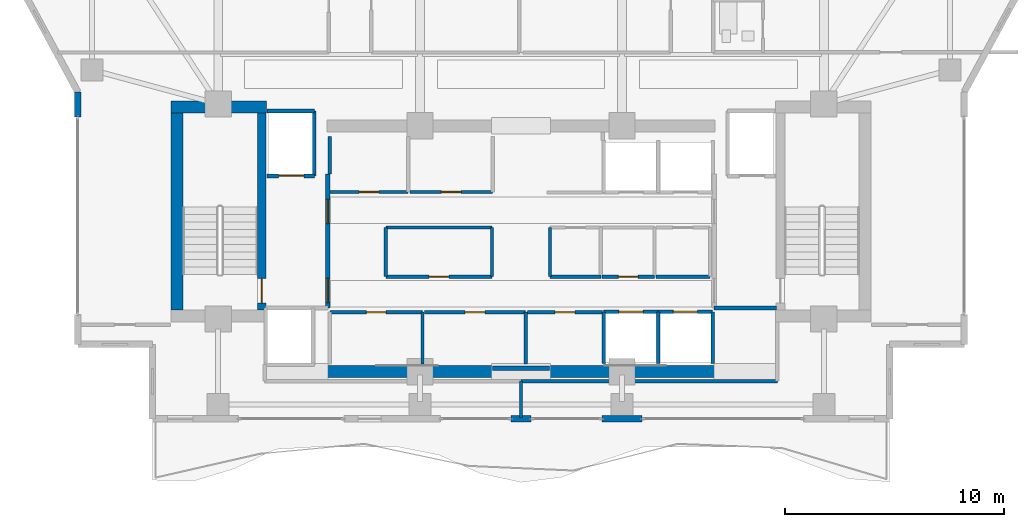
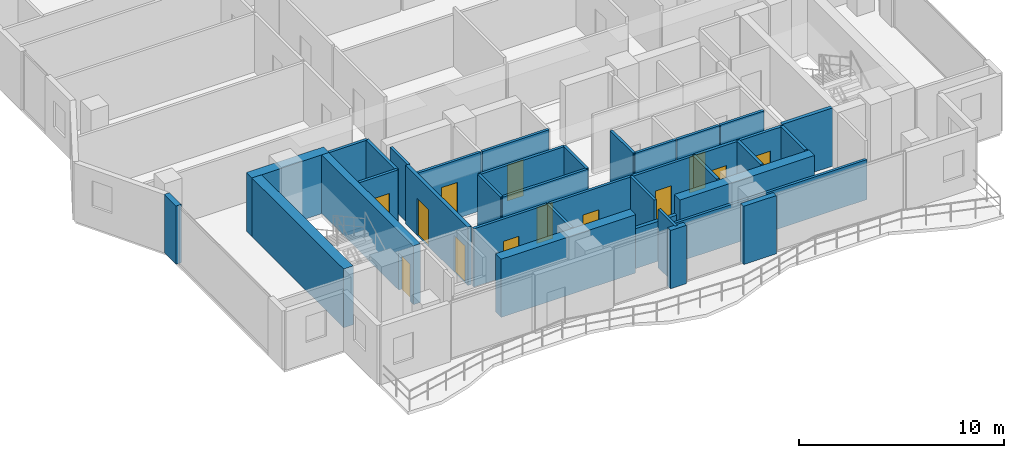
# One storey, part 17 of 24: 37 walls, 13 doors, 13 openings.
"""IFC4 building model written with IfcOpenShell, lengths in metres."""

from ifc_helpers import new_model, si_unit, direction, frame, frame_2d, origin, place, context, subcontext, project, spatial, rectangle, extrude, material, layer, layer_set, type_object, element, fill, save


model = new_model("IFC4")

# Units and contexts
model_context = context("Model", 3, precision=1e-05, world=origin(), true_north=direction((0.0, 1.0)))
body_context = subcontext(model_context, "Body", "Model", "MODEL_VIEW")
ifc_project = project(units=[si_unit("LENGTHUNIT", "METRE"), si_unit("AREAUNIT", "SQUARE_METRE"), si_unit("VOLUMEUNIT", "CUBIC_METRE"), si_unit("PLANEANGLEUNIT", "RADIAN"), si_unit("MASSUNIT", "GRAM", prefix="KILO")], contexts=[model_context])

# Site, building, storey
site_placement = place(None, origin())
site = spatial("IfcSite", under=ifc_project, at=site_placement, CompositionType="ELEMENT")
building_placement = place(site_placement, origin())
building = spatial("IfcBuilding", under=site, at=building_placement, Name="Zuhayl Quay Hotel", CompositionType="ELEMENT")
storey_placement = place(building_placement, frame((0.0, 0.0, 269.25)))
storey = spatial("IfcBuildingStorey", under=building, at=storey_placement, Name="L68", CompositionType="ELEMENT", Elevation=269.25)

# Walls
ifc_material_1 = material(Name="Concrete C50/60", Category="concrete")
ifc_layer_1 = layer(ifc_material_1, 0.550048828125, Name="Concrete C50/60", Category="concrete")
ifc_layer_set_1 = layer_set([ifc_layer_1], Name="Concrete C50/60")
wall_type_1 = type_object("IfcWallType", Name="WL_CORE_550", PredefinedType="SHEAR", material=ifc_layer_set_1)
wall_1_placement = place(storey_placement, frame((-15.9599609375, 14.205078125, 0.0), z_axis=(0.0, 0.0, 1.0), x_axis=(1.0, 0.0, 0.0)))
element("IfcWall", 1, at=wall_1_placement, inside=storey, type_object=wall_type_1, Name="L68 Core Shear Wall CW_NW", PredefinedType="SHEAR", context=body_context, shape_type="SweptSolid", body=[
    extrude(rectangle(XDim=4.35986328125, YDim=0.550048828125, at=frame_2d((2.179931640625, 0.0))), origin(), (0.0, 0.0, 1.0), 3.510009765625),
])
wall_2_placement = place(storey_placement, frame((-15.68505859375, 4.969970703125, 0.0), z_axis=(0.0, 0.0, 1.0), x_axis=(0.0, 1.0, 0.0)))
element("IfcWall", 2, at=wall_2_placement, inside=storey, type_object=wall_type_1, Name="L68 Core Shear Wall CW_W", PredefinedType="SHEAR", context=body_context, shape_type="SweptSolid", body=[
    extrude(rectangle(XDim=8.9599609375, YDim=0.550048828125, at=frame_2d((4.47998046875, 0.0))), origin(), (0.0, 0.0, 1.0), 3.510009765625),
])
for number, where, z_axis, x_axis, name in (
    (3, (-8.85009765625, 2.14990234375, 0.0), (0.0, 0.0, 1.0), (1.0, 0.0, 0.0), "L68 Core Shear Wall CW_SC_W"),
    (4, (1.25, 2.14990234375, 0.0), (0.0, 0.0, 1.0), (1.0, 0.0, 0.0), "L68 Core Shear Wall CW_SC_E"),
):
    element("IfcWall", number, at=place(storey_placement, frame(where, z_axis=z_axis, x_axis=x_axis)), inside=storey, type_object=wall_type_1, Name=name, PredefinedType="SHEAR", context=body_context, shape_type="SweptSolid", body=[
        extrude(rectangle(XDim=7.60009765625, YDim=0.550048828125, at=frame_2d((3.800048828125, 0.0))), origin(), (0.0, 0.0, 1.0), 3.47998046875),
    ])
ifc_material_2 = material(Name="Precast concrete C45/55", Category="concrete")
ifc_layer_2 = layer(ifc_material_2, 0.300048828125, Name="Precast concrete C45/55", Category="concrete")
ifc_layer_set_2 = layer_set([ifc_layer_2], Name="Precast concrete C45/55")
wall_type_2 = type_object("IfcWallType", Name="WL_EXT_300", PredefinedType="STANDARD", material=ifc_layer_set_2)
wall_3_placement = place(storey_placement, frame((-20.199951171875, 13.75, 0.0), z_axis=(0.0, 0.0, 1.0), x_axis=(0.0, 1.0, 0.0)))
element("IfcWall", 5, at=wall_3_placement, inside=storey, type_object=wall_type_2, Name="L68 Exterior Precast Wall ENV_L68_E02_EW2", PredefinedType="STANDARD", context=body_context, shape_type="SweptSolid", body=[
    extrude(rectangle(XDim=1.14990234375, YDim=0.300048828125, at=frame_2d((0.574951171875, 0.0))), origin(), (0.0, 0.0, 1.0), 3.47998046875),
])
wall_4_placement = place(storey_placement, frame((5.52001953125, 0.0, 0.0), z_axis=(0.0, 0.0, 1.0), x_axis=(-1.0, 0.0, 0.0)))
element("IfcWall", 6, at=wall_4_placement, inside=storey, type_object=wall_type_2, Name="L68 Exterior Precast Wall ENV_L68_S_EW2", PredefinedType="STANDARD", context=body_context, shape_type="SweptSolid", body=[
    extrude(rectangle(XDim=1.840087890625, YDim=0.300048828125, at=frame_2d((0.919921875, 0.0))), origin(), (0.0, 0.0, 1.0), 3.47998046875),
])
wall_5_placement = place(storey_placement, frame((0.449951171875, 0.0, 0.0), z_axis=(0.0, 0.0, 1.0), x_axis=(-1.0, 0.0, 0.0)))
element("IfcWall", 7, at=wall_5_placement, inside=storey, type_object=wall_type_2, Name="L68 Exterior Precast Wall ENV_L68_S_EW3", PredefinedType="STANDARD", context=body_context, shape_type="SweptSolid", body=[
    extrude(rectangle(XDim=0.89990234375, YDim=0.300048828125, at=frame_2d((0.449951171875, 0.0))), origin(), (0.0, 0.0, 1.0), 3.47998046875),
])

# Wall, opening, door
ifc_material_3 = material(Name="Acoustic Gypsum Partition STC-58")
ifc_layer_3 = layer(ifc_material_3, 0.14990234375, Name="Acoustic Gypsum Partition STC-58")
ifc_layer_set_3 = layer_set([ifc_layer_3], Name="Acoustic Gypsum Partition STC-58")
wall_type_3 = type_object("IfcWallType", Name="WL_PART_150", PredefinedType="PARTITIONING", material=ifc_layer_set_3)
wall_6_placement = place(storey_placement, frame((-8.7099609375, 4.860107421875, 0.0), z_axis=(0.0, 0.0, 1.0), x_axis=(1.0, 0.0, 0.0)))
wall_6 = element("IfcWall", 8, at=wall_6_placement, inside=storey, type_object=wall_type_3, Name="L68 Partition IW_L68_FMP_S1_N", PredefinedType="PARTITIONING", context=body_context, shape_type="SweptSolid", body=[
    extrude(rectangle(XDim=4.219970703125, YDim=0.14990234375, at=frame_2d((2.10986328125, 0.0))), origin(), (0.0, 0.0, 1.0), 3.47998046875),
])
opening_1_placement = place(wall_6_placement, frame((1.659912109375, 0.0, 0.0)))
opening_1 = element("IfcOpeningElement", 9, at=opening_1_placement, cuts=wall_6, Name="Opening D06", PredefinedType="OPENING", context=body_context, shape_type="SweptSolid", body=[
    extrude(rectangle(XDim=0.89990234375, YDim=2.14990234375, at=frame_2d((0.449951171875, 1.074951171875))), frame((0.0, 0.0849609375, 0.0), z_axis=(0.0, -1.0, 0.0), x_axis=(1.0, 0.0, 0.0)), (0.0, 0.0, 1.0), 0.169921875),
])
ifc_material_4 = material(Name="Steel ASTM A992 Grade 50", Category="steel")
door_type_1 = type_object("IfcDoorType", Name="DR_INT_900", OperationType="NOTDEFINED", PredefinedType="DOOR", material=ifc_material_4)
door_1_placement = place(opening_1_placement, origin())
door_1 = element("IfcDoor", 10, at=door_1_placement, inside=storey, type_object=door_type_1, Name="L68 Silverware Pantry Door", OperationType="SINGLE_SWING_LEFT", OverallHeight=2.14990234375, OverallWidth=0.89990234375, PredefinedType="DOOR", context=body_context, shape_type="SweptSolid", body=[
    extrude(rectangle(XDim=0.89990234375, YDim=2.14990234375, at=frame_2d((0.449951171875, 1.074951171875))), frame((0.0, 0.02490234375, 0.0), z_axis=(0.0, -1.0, 0.0), x_axis=(1.0, 0.0, 0.0)), (0.0, 0.0, 1.0), 0.050048828125),
])
fill(opening_1, door_1)

wall_7_placement = place(storey_placement, frame((-4.409912109375, 4.860107421875, 0.0), z_axis=(0.0, 0.0, 1.0), x_axis=(1.0, 0.0, 0.0)))
wall_7 = element("IfcWall", 11, at=wall_7_placement, inside=storey, type_object=wall_type_3, Name="L68 Partition IW_L68_FMP_S2_N", PredefinedType="PARTITIONING", context=body_context, shape_type="SweptSolid", body=[
    extrude(rectangle(XDim=4.619873046875, YDim=0.14990234375, at=frame_2d((2.31005859375, 0.0))), origin(), (0.0, 0.0, 1.0), 3.47998046875),
])
opening_2_placement = place(wall_7_placement, frame((1.860107421875, 0.0, 0.0)))
opening_2 = element("IfcOpeningElement", 12, at=opening_2_placement, cuts=wall_7, Name="Opening D06", PredefinedType="OPENING", context=body_context, shape_type="SweptSolid", body=[
    extrude(rectangle(XDim=0.89990234375, YDim=2.14990234375, at=frame_2d((0.449951171875, 1.074951171875))), frame((0.0, 0.0849609375, 0.0), z_axis=(0.0, -1.0, 0.0), x_axis=(1.0, 0.0, 0.0)), (0.0, 0.0, 1.0), 0.169921875),
])
door_2_placement = place(opening_2_placement, origin())
door_2 = element("IfcDoor", 13, at=door_2_placement, inside=storey, type_object=door_type_1, Name="L68 Crystal Store Door", OperationType="SINGLE_SWING_RIGHT", OverallHeight=2.14990234375, OverallWidth=0.89990234375, PredefinedType="DOOR", context=body_context, shape_type="SweptSolid", body=[
    extrude(rectangle(XDim=0.89990234375, YDim=2.14990234375, at=frame_2d((0.449951171875, 1.074951171875))), frame((0.0, 0.02490234375, 0.0), z_axis=(0.0, -1.0, 0.0), x_axis=(1.0, 0.0, 0.0)), (0.0, 0.0, 1.0), 0.050048828125),
])
fill(opening_2, door_2)

wall_8_placement = place(storey_placement, frame((0.2900390625, 4.860107421875, 0.0), z_axis=(0.0, 0.0, 1.0), x_axis=(1.0, 0.0, 0.0)))
wall_8 = element("IfcWall", 14, at=wall_8_placement, inside=storey, type_object=wall_type_3, Name="L68 Partition IW_L68_FMP_S3_N", PredefinedType="PARTITIONING", context=body_context, shape_type="SweptSolid", body=[
    extrude(rectangle(XDim=3.419921875, YDim=0.14990234375, at=frame_2d((1.7099609375, 0.0))), origin(), (0.0, 0.0, 1.0), 3.47998046875),
])
opening_3_placement = place(wall_8_placement, frame((1.260009765625, 0.0, 0.0)))
opening_3 = element("IfcOpeningElement", 15, at=opening_3_placement, cuts=wall_8, Name="Opening D06", PredefinedType="OPENING", context=body_context, shape_type="SweptSolid", body=[
    extrude(rectangle(XDim=0.89990234375, YDim=2.14990234375, at=frame_2d((0.449951171875, 1.074951171875))), frame((0.0, 0.0849609375, 0.0), z_axis=(0.0, -1.0, 0.0), x_axis=(1.0, 0.0, 0.0)), (0.0, 0.0, 1.0), 0.169921875),
])
door_3_placement = place(opening_3_placement, origin())
door_3 = element("IfcDoor", 16, at=door_3_placement, inside=storey, type_object=door_type_1, Name="L68 China Linen Store Door", OperationType="SINGLE_SWING_LEFT", OverallHeight=2.14990234375, OverallWidth=0.89990234375, PredefinedType="DOOR", context=body_context, shape_type="SweptSolid", body=[
    extrude(rectangle(XDim=0.89990234375, YDim=2.14990234375, at=frame_2d((0.449951171875, 1.074951171875))), frame((0.0, 0.02490234375, 0.0), z_axis=(0.0, -1.0, 0.0), x_axis=(1.0, 0.0, 0.0)), (0.0, 0.0, 1.0), 0.050048828125),
])
fill(opening_3, door_3)

wall_9_placement = place(storey_placement, frame((-8.7099609375, 10.340087890625, 0.0), z_axis=(0.0, 0.0, 1.0), x_axis=(1.0, 0.0, 0.0)))
wall_9 = element("IfcWall", 17, at=wall_9_placement, inside=storey, type_object=wall_type_3, Name="L68 Partition IW_L68_FMP_N1_S", PredefinedType="PARTITIONING", context=body_context, shape_type="SweptSolid", body=[
    extrude(rectangle(XDim=3.570068359375, YDim=0.14990234375, at=frame_2d((1.78515625, 0.0))), origin(), (0.0, 0.0, 1.0), 3.47998046875),
])
opening_4_placement = place(wall_9_placement, frame((1.3349609375, 0.0, 0.0)))
opening_4 = element("IfcOpeningElement", 18, at=opening_4_placement, cuts=wall_9, Name="Opening D06", PredefinedType="OPENING", context=body_context, shape_type="SweptSolid", body=[
    extrude(rectangle(XDim=0.89990234375, YDim=2.14990234375, at=frame_2d((0.449951171875, 1.074951171875))), frame((0.0, 0.0849609375, 0.0), z_axis=(0.0, -1.0, 0.0), x_axis=(1.0, 0.0, 0.0)), (0.0, 0.0, 1.0), 0.169921875),
])
door_4_placement = place(opening_4_placement, origin())
door_4 = element("IfcDoor", 19, at=door_4_placement, inside=storey, type_object=door_type_1, Name="L68 West Valet Bay Door", OperationType="SINGLE_SWING_RIGHT", OverallHeight=2.14990234375, OverallWidth=0.89990234375, PredefinedType="DOOR", context=body_context, shape_type="SweptSolid", body=[
    extrude(rectangle(XDim=0.89990234375, YDim=2.14990234375, at=frame_2d((0.449951171875, 1.074951171875))), frame((0.0, 0.02490234375, 0.0), z_axis=(0.0, -1.0, 0.0), x_axis=(1.0, 0.0, 0.0)), (0.0, 0.0, 1.0), 0.050048828125),
])
fill(opening_4, door_4)

wall_10_placement = place(storey_placement, frame((-5.06005859375, 10.340087890625, 0.0), z_axis=(0.0, 0.0, 1.0), x_axis=(1.0, 0.0, 0.0)))
wall_10 = element("IfcWall", 20, at=wall_10_placement, inside=storey, type_object=wall_type_3, Name="L68 Partition IW_L68_FMP_N2_S", PredefinedType="PARTITIONING", context=body_context, shape_type="SweptSolid", body=[
    extrude(rectangle(XDim=3.77001953125, YDim=0.14990234375, at=frame_2d((1.885009765625, 0.0))), origin(), (0.0, 0.0, 1.0), 3.47998046875),
])
opening_5_placement = place(wall_10_placement, frame((1.43505859375, 0.0, 0.0)))
opening_5 = element("IfcOpeningElement", 21, at=opening_5_placement, cuts=wall_10, Name="Opening D06", PredefinedType="OPENING", context=body_context, shape_type="SweptSolid", body=[
    extrude(rectangle(XDim=0.89990234375, YDim=2.14990234375, at=frame_2d((0.449951171875, 1.074951171875))), frame((0.0, 0.0849609375, 0.0), z_axis=(0.0, -1.0, 0.0), x_axis=(1.0, 0.0, 0.0)), (0.0, 0.0, 1.0), 0.169921875),
])
door_5_placement = place(opening_5_placement, origin())
door_5 = element("IfcDoor", 22, at=door_5_placement, inside=storey, type_object=door_type_1, Name="L68 High-Zone Linen Bay Door", OperationType="SINGLE_SWING_LEFT", OverallHeight=2.14990234375, OverallWidth=0.89990234375, PredefinedType="DOOR", context=body_context, shape_type="SweptSolid", body=[
    extrude(rectangle(XDim=0.89990234375, YDim=2.14990234375, at=frame_2d((0.449951171875, 1.074951171875))), frame((0.0, 0.02490234375, 0.0), z_axis=(0.0, -1.0, 0.0), x_axis=(1.0, 0.0, 0.0)), (0.0, 0.0, 1.0), 0.050048828125),
])
fill(opening_5, door_5)

wall_11_placement = place(storey_placement, frame((-6.159912109375, 6.47998046875, 0.0), z_axis=(0.0, 0.0, 1.0), x_axis=(1.0, 0.0, 0.0)))
wall_11 = element("IfcWall", 23, at=wall_11_placement, inside=storey, type_object=wall_type_3, Name="L68 Partition IW_L68_CORE_SV_S", PredefinedType="PARTITIONING", context=body_context, shape_type="SweptSolid", body=[
    extrude(rectangle(XDim=4.83984375, YDim=0.14990234375, at=frame_2d((2.419921875, 0.0))), origin(), (0.0, 0.0, 1.0), 3.47998046875),
])
opening_6_placement = place(wall_11_placement, frame((1.969970703125, 0.0, 0.0)))
opening_6 = element("IfcOpeningElement", 24, at=opening_6_placement, cuts=wall_11, Name="Opening D06", PredefinedType="OPENING", context=body_context, shape_type="SweptSolid", body=[
    extrude(rectangle(XDim=0.89990234375, YDim=2.14990234375, at=frame_2d((0.449951171875, 1.074951171875))), frame((0.0, 0.0849609375, 0.0), z_axis=(0.0, -1.0, 0.0), x_axis=(1.0, 0.0, 0.0)), (0.0, 0.0, 1.0), 0.169921875),
])
door_6_placement = place(opening_6_placement, origin())
door_6 = element("IfcDoor", 25, at=door_6_placement, inside=storey, type_object=door_type_1, Name="L68 Core Ice and Linen Store Door", OperationType="SINGLE_SWING_RIGHT", OverallHeight=2.14990234375, OverallWidth=0.89990234375, PredefinedType="DOOR", context=body_context, shape_type="SweptSolid", body=[
    extrude(rectangle(XDim=0.89990234375, YDim=2.14990234375, at=frame_2d((0.449951171875, 1.074951171875))), frame((0.0, 0.02490234375, 0.0), z_axis=(0.0, -1.0, 0.0), x_axis=(1.0, 0.0, 0.0)), (0.0, 0.0, 1.0), 0.050048828125),
])
fill(opening_6, door_6)

wall_12_placement = place(storey_placement, frame((3.699951171875, 6.47998046875, 0.0), z_axis=(0.0, 0.0, 1.0), x_axis=(1.0, 0.0, 0.0)))
wall_12 = element("IfcWall", 26, at=wall_12_placement, inside=storey, type_object=wall_type_3, Name="L68 Partition IW_L68_CORE_E2_S", PredefinedType="PARTITIONING", context=body_context, shape_type="SweptSolid", body=[
    extrude(rectangle(XDim=2.380126953125, YDim=0.14990234375, at=frame_2d((1.18994140625, 0.0))), origin(), (0.0, 0.0, 1.0), 3.47998046875),
])
opening_7_placement = place(wall_12_placement, frame((0.739990234375, 0.0, 0.0)))
opening_7 = element("IfcOpeningElement", 27, at=opening_7_placement, cuts=wall_12, Name="Opening D06", PredefinedType="OPENING", context=body_context, shape_type="SweptSolid", body=[
    extrude(rectangle(XDim=0.89990234375, YDim=2.14990234375, at=frame_2d((0.449951171875, 1.074951171875))), frame((0.0, 0.0849609375, 0.0), z_axis=(0.0, -1.0, 0.0), x_axis=(1.0, 0.0, 0.0)), (0.0, 0.0, 1.0), 0.169921875),
])
door_7_placement = place(opening_7_placement, origin())
door_7 = element("IfcDoor", 28, at=door_7_placement, inside=storey, type_object=door_type_1, Name="L68 Data Closet Door", OperationType="SINGLE_SWING_RIGHT", OverallHeight=2.14990234375, OverallWidth=0.89990234375, PredefinedType="DOOR", context=body_context, shape_type="SweptSolid", body=[
    extrude(rectangle(XDim=0.89990234375, YDim=2.14990234375, at=frame_2d((0.449951171875, 1.074951171875))), frame((0.0, 0.02490234375, 0.0), z_axis=(0.0, -1.0, 0.0), x_axis=(1.0, 0.0, 0.0)), (0.0, 0.0, 1.0), 0.050048828125),
])
fill(opening_7, door_7)

# Walls
for number, where, z_axis, x_axis, name in (
    (29, (-4.489990234375, 2.489990234375, 0.0), (0.0, 0.0, 1.0), (0.0, 1.0, 0.0), "L68 Partition IW_L68_FMP_S1_E"),
    (30, (0.2099609375, 2.489990234375, 0.0), (0.0, 0.0, 1.0), (0.0, 1.0, 0.0), "L68 Partition IW_L68_FMP_S2_E"),
):
    element("IfcWall", number, at=place(storey_placement, frame(where, z_axis=z_axis, x_axis=x_axis)), inside=storey, type_object=wall_type_3, Name=name, PredefinedType="PARTITIONING", context=body_context, shape_type="SweptSolid", body=[
        extrude(rectangle(XDim=2.3701171875, YDim=0.14990234375, at=frame_2d((1.18505859375, 0.0))), origin(), (0.0, 0.0, 1.0), 3.47998046875),
    ])
wall_13_placement = place(storey_placement, frame((-8.7099609375, 11.14990234375, 0.0), z_axis=(0.0, 0.0, 1.0), x_axis=(0.0, 1.0, 0.0)))
element("IfcWall", 31, at=wall_13_placement, inside=storey, type_object=wall_type_3, Name="L68 Partition IW_L68_FMP_N1_W", PredefinedType="PARTITIONING", context=body_context, shape_type="SweptSolid", body=[
    extrude(rectangle(XDim=1.710205078125, YDim=0.14990234375, at=frame_2d((0.85498046875, 0.0))), origin(), (0.0, 0.0, 1.0), 3.47998046875),
])
wall_14_placement = place(storey_placement, frame((-6.159912109375, 8.719970703125, 0.0), z_axis=(0.0, 0.0, 1.0), x_axis=(1.0, 0.0, 0.0)))
element("IfcWall", 32, at=wall_14_placement, inside=storey, type_object=wall_type_3, Name="L68 Partition IW_L68_CORE_SV_N", PredefinedType="PARTITIONING", context=body_context, shape_type="SweptSolid", body=[
    extrude(rectangle(XDim=4.83984375, YDim=0.14990234375, at=frame_2d((2.419921875, 0.0))), origin(), (0.0, 0.0, 1.0), 3.47998046875),
])
for number, where, z_axis, x_axis, name in (
    (33, (-6.159912109375, 6.47998046875, 0.0), (0.0, 0.0, 1.0), (0.0, 1.0, 0.0), "L68 Partition IW_L68_CORE_SV_W"),
    (34, (-1.320068359375, 6.47998046875, 0.0), (0.0, 0.0, 1.0), (0.0, 1.0, 0.0), "L68 Partition IW_L68_CORE_SV_E"),
):
    element("IfcWall", number, at=place(storey_placement, frame(where, z_axis=z_axis, x_axis=x_axis)), inside=storey, type_object=wall_type_3, Name=name, PredefinedType="PARTITIONING", context=body_context, shape_type="SweptSolid", body=[
        extrude(rectangle(XDim=2.239990234375, YDim=0.14990234375, at=frame_2d((1.1201171875, 0.0))), origin(), (0.0, 0.0, 1.0), 3.47998046875),
    ])
wall_15_placement = place(storey_placement, frame((1.320068359375, 6.47998046875, 0.0), z_axis=(0.0, 0.0, 1.0), x_axis=(1.0, 0.0, 0.0)))
element("IfcWall", 35, at=wall_15_placement, inside=storey, type_object=wall_type_3, Name="L68 Partition IW_L68_CORE_E1_S", PredefinedType="PARTITIONING", context=body_context, shape_type="SweptSolid", body=[
    extrude(rectangle(XDim=2.31982421875, YDim=0.14990234375, at=frame_2d((1.159912109375, 0.0))), origin(), (0.0, 0.0, 1.0), 3.47998046875),
])
wall_16_placement = place(storey_placement, frame((1.320068359375, 6.47998046875, 0.0), z_axis=(0.0, 0.0, 1.0), x_axis=(0.0, 1.0, 0.0)))
element("IfcWall", 36, at=wall_16_placement, inside=storey, type_object=wall_type_3, Name="L68 Partition IW_L68_CORE_E1_W", PredefinedType="PARTITIONING", context=body_context, shape_type="SweptSolid", body=[
    extrude(rectangle(XDim=2.239990234375, YDim=0.14990234375, at=frame_2d((1.1201171875, 0.0))), origin(), (0.0, 0.0, 1.0), 3.47998046875),
])
wall_17_placement = place(storey_placement, frame((6.139892578125, 6.47998046875, 0.0), z_axis=(0.0, 0.0, 1.0), x_axis=(1.0, 0.0, 0.0)))
element("IfcWall", 37, at=wall_17_placement, inside=storey, type_object=wall_type_3, Name="L68 Partition IW_L68_CORE_E3_S", PredefinedType="PARTITIONING", context=body_context, shape_type="SweptSolid", body=[
    extrude(rectangle(XDim=2.47021484375, YDim=0.14990234375, at=frame_2d((1.235107421875, 0.0))), origin(), (0.0, 0.0, 1.0), 3.47998046875),
])
wall_18_placement = place(storey_placement, frame((0.0, 1.719970703125, 0.0), z_axis=(0.0, 0.0, 1.0), x_axis=(1.0, 0.0, 0.0)))
element("IfcWall", 38, at=wall_18_placement, inside=storey, type_object=wall_type_3, Name="L68 Partition IW_L68_Z4_SUN_SE_SN", PredefinedType="PARTITIONING", context=body_context, shape_type="SweptSolid", body=[
    extrude(rectangle(XDim=11.679931640625, YDim=0.14990234375, at=frame_2d((5.83984375, 0.0))), origin(), (0.0, 0.0, 1.0), 2.3798828125),
])
wall_19_placement = place(storey_placement, frame((0.0, 0.06005859375, 0.0), z_axis=(0.0, 0.0, 1.0), x_axis=(0.0, 1.0, 0.0)))
element("IfcWall", 39, at=wall_19_placement, inside=storey, type_object=wall_type_3, Name="L68 Partition IW_L68_Z4_SUN_MID", PredefinedType="PARTITIONING", context=body_context, shape_type="SweptSolid", body=[
    extrude(rectangle(XDim=1.659912109375, YDim=0.14990234375, at=frame_2d((0.830078125, 0.0))), origin(), (0.0, 0.0, 1.0), 3.47998046875),
])

# Wall, opening, door
ifc_material_5 = material(Name="Gypsum Fireboard Assembly EI-90")
ifc_layer_4 = layer(ifc_material_5, 0.1650390625, Name="Gypsum Fireboard Assembly EI-90")
ifc_layer_set_4 = layer_set([ifc_layer_4], Name="Gypsum Fireboard Assembly EI-90")
wall_type_4 = type_object("IfcWallType", Name="WL_PART_SHAFT_160", PredefinedType="PARTITIONING", material=ifc_layer_set_4)
wall_20_placement = place(storey_placement, frame((-11.580078125, 11.070068359375, 0.0), z_axis=(0.0, 0.0, 1.0), x_axis=(1.0, 0.0, 0.0)))
wall_20 = element("IfcWall", 40, at=wall_20_placement, inside=storey, type_object=wall_type_4, Name="L68 Partition IW_L68_SH_FL1_F", PredefinedType="PARTITIONING", context=body_context, shape_type="SweptSolid", body=[
    extrude(rectangle(XDim=2.16015625, YDim=0.1650390625, at=frame_2d((1.080078125, 0.0))), origin(), (0.0, 0.0, 1.0), 3.47998046875),
])
opening_8_placement = place(wall_20_placement, frame((0.530029296875, 0.0, 0.0)))
opening_8 = element("IfcOpeningElement", 41, at=opening_8_placement, cuts=wall_20, Name="Opening LD2", PredefinedType="OPENING", context=body_context, shape_type="SweptSolid", body=[
    extrude(rectangle(XDim=1.14990234375, YDim=2.25, at=frame_2d((0.574951171875, 1.125))), frame((0.0, 0.092529296875, 0.0), z_axis=(0.0, -1.0, 0.0), x_axis=(1.0, 0.0, 0.0)), (0.0, 0.0, 1.0), 0.18505859375),
])
ifc_material_6 = material(Name="Brushed Stainless Steel", Category="steel")
door_type_2 = type_object("IfcDoorType", Name="DR_LIFT_FF_1100", OperationType="SLIDING_TO_LEFT", PredefinedType="DOOR", material=ifc_material_6)
door_8_placement = place(opening_8_placement, origin())
door_8 = element("IfcDoor", 42, at=door_8_placement, inside=storey, type_object=door_type_2, Name="L68 Lift FL1 Sliding Landing Door", OperationType="SLIDING_TO_LEFT", OverallHeight=2.25, OverallWidth=1.14990234375, PredefinedType="DOOR", context=body_context, shape_type="SweptSolid", body=[
    extrude(rectangle(XDim=1.14990234375, YDim=2.25, at=frame_2d((0.574951171875, 1.125))), frame((0.0, 0.02490234375, 0.0), z_axis=(0.0, -1.0, 0.0), x_axis=(1.0, 0.0, 0.0)), (0.0, 0.0, 1.0), 0.050048828125),
])
fill(opening_8, door_8)

wall_21_placement = place(storey_placement, frame((3.77001953125, 4.8798828125, 0.0), z_axis=(0.0, 0.0, 1.0), x_axis=(1.0, 0.0, 0.0)))
wall_21 = element("IfcWall", 43, at=wall_21_placement, inside=storey, type_object=wall_type_4, Name="L68 Partition IW_L68_SH_HP1_F", PredefinedType="PARTITIONING", context=body_context, shape_type="SweptSolid", body=[
    extrude(rectangle(XDim=2.47998046875, YDim=0.1650390625, at=frame_2d((1.239990234375, 0.0))), origin(), (0.0, 0.0, 1.0), 3.47998046875),
])
opening_9_placement = place(wall_21_placement, frame((0.68994140625, 0.0, 0.0)))
opening_9 = element("IfcOpeningElement", 44, at=opening_9_placement, cuts=wall_21, Name="Opening LD1", PredefinedType="OPENING", context=body_context, shape_type="SweptSolid", body=[
    extrude(rectangle(XDim=1.10009765625, YDim=2.25, at=frame_2d((0.550048828125, 1.125))), frame((0.0, 0.092529296875, 0.0), z_axis=(0.0, -1.0, 0.0), x_axis=(1.0, 0.0, 0.0)), (0.0, 0.0, 1.0), 0.18505859375),
])
door_type_3 = type_object("IfcDoorType", Name="DR_LIFT_PASS_1100", OperationType="SLIDING_TO_LEFT", PredefinedType="DOOR", material=ifc_material_6)
door_9_placement = place(opening_9_placement, origin())
door_9 = element("IfcDoor", 45, at=door_9_placement, inside=storey, type_object=door_type_3, Name="L68 Lift HP1 Sliding Landing Door", OperationType="SLIDING_TO_LEFT", OverallHeight=2.25, OverallWidth=1.10009765625, PredefinedType="DOOR", context=body_context, shape_type="SweptSolid", body=[
    extrude(rectangle(XDim=1.10009765625, YDim=2.25, at=frame_2d((0.550048828125, 1.125))), frame((0.0, 0.02490234375, 0.0), z_axis=(0.0, -1.0, 0.0), x_axis=(1.0, 0.0, 0.0)), (0.0, 0.0, 1.0), 0.050048828125),
])
fill(opening_9, door_9)

wall_22_placement = place(storey_placement, frame((6.25, 4.8798828125, 0.0), z_axis=(0.0, 0.0, 1.0), x_axis=(1.0, 0.0, 0.0)))
wall_22 = element("IfcWall", 46, at=wall_22_placement, inside=storey, type_object=wall_type_4, Name="L68 Partition IW_L68_SH_HP2_F", PredefinedType="PARTITIONING", context=body_context, shape_type="SweptSolid", body=[
    extrude(rectangle(XDim=2.47998046875, YDim=0.1650390625, at=frame_2d((1.239990234375, 0.0))), origin(), (0.0, 0.0, 1.0), 3.47998046875),
])
opening_10_placement = place(wall_22_placement, frame((0.68994140625, 0.0, 0.0)))
opening_10 = element("IfcOpeningElement", 47, at=opening_10_placement, cuts=wall_22, Name="Opening LD1", PredefinedType="OPENING", context=body_context, shape_type="SweptSolid", body=[
    extrude(rectangle(XDim=1.10009765625, YDim=2.25, at=frame_2d((0.550048828125, 1.125))), frame((0.0, 0.092529296875, 0.0), z_axis=(0.0, -1.0, 0.0), x_axis=(1.0, 0.0, 0.0)), (0.0, 0.0, 1.0), 0.18505859375),
])
door_10_placement = place(opening_10_placement, origin())
door_10 = element("IfcDoor", 48, at=door_10_placement, inside=storey, type_object=door_type_3, Name="L68 Lift HP2 Sliding Landing Door", OperationType="SLIDING_TO_LEFT", OverallHeight=2.25, OverallWidth=1.10009765625, PredefinedType="DOOR", context=body_context, shape_type="SweptSolid", body=[
    extrude(rectangle(XDim=1.10009765625, YDim=2.25, at=frame_2d((0.550048828125, 1.125))), frame((0.0, 0.02490234375, 0.0), z_axis=(0.0, -1.0, 0.0), x_axis=(1.0, 0.0, 0.0)), (0.0, 0.0, 1.0), 0.050048828125),
])
fill(opening_10, door_10)

# Walls
wall_23_placement = place(storey_placement, frame((-9.419921875, 11.070068359375, 0.0), z_axis=(0.0, 0.0, 1.0), x_axis=(0.0, 1.0, 0.0)))
element("IfcWall", 49, at=wall_23_placement, inside=storey, type_object=wall_type_4, Name="L68 Partition IW_L68_SH_FL1_E", PredefinedType="PARTITIONING", context=body_context, shape_type="SweptSolid", body=[
    extrude(rectangle(XDim=2.9599609375, YDim=0.1650390625, at=frame_2d((1.47998046875, 0.0))), origin(), (0.0, 0.0, 1.0), 3.47998046875),
])
wall_24_placement = place(storey_placement, frame((-11.580078125, 14.030029296875, 0.0), z_axis=(0.0, 0.0, 1.0), x_axis=(1.0, 0.0, 0.0)))
element("IfcWall", 50, at=wall_24_placement, inside=storey, type_object=wall_type_4, Name="L68 Partition IW_L68_SH_FL1_B", PredefinedType="PARTITIONING", context=body_context, shape_type="SweptSolid", body=[
    extrude(rectangle(XDim=2.16015625, YDim=0.1650390625, at=frame_2d((1.080078125, 0.0))), origin(), (0.0, 0.0, 1.0), 3.47998046875),
])
for number, where, z_axis, x_axis, name in (
    (51, (3.77001953125, 2.52001953125, 0.0), (0.0, 0.0, 1.0), (0.0, 1.0, 0.0), "L68 Partition IW_L68_SH_HP1_W"),
    (52, (6.25, 2.52001953125, 0.0), (0.0, 0.0, 1.0), (0.0, 1.0, 0.0), "L68 Partition IW_L68_SH_HP1_E"),
    (53, (8.72998046875, 2.52001953125, 0.0), (0.0, 0.0, 1.0), (0.0, 1.0, 0.0), "L68 Partition IW_L68_SH_HP2_E"),
):
    element("IfcWall", number, at=place(storey_placement, frame(where, z_axis=z_axis, x_axis=x_axis)), inside=storey, type_object=wall_type_4, Name=name, PredefinedType="PARTITIONING", context=body_context, shape_type="SweptSolid", body=[
        extrude(rectangle(XDim=2.35986328125, YDim=0.1650390625, at=frame_2d((1.179931640625, 0.0))), origin(), (0.0, 0.0, 1.0), 3.47998046875),
    ])

# Wall, openings, doors
ifc_material_7 = material(Name="Gypsum Fireboard Assembly EI-120")
ifc_layer_5 = layer(ifc_material_7, 0.199951171875, Name="Gypsum Fireboard Assembly EI-120")
ifc_layer_set_5 = layer_set([ifc_layer_5], Name="Gypsum Fireboard Assembly EI-120")
wall_type_5 = type_object("IfcWallType", Name="WL_PART_SHAFT_200", PredefinedType="PARTITIONING", material=ifc_layer_set_5)
wall_25_placement = place(storey_placement, frame((-8.800048828125, 5.050048828125, 0.0), z_axis=(0.0, 0.0, 1.0), x_axis=(0.0, 1.0, 0.0)))
wall_25 = element("IfcWall", 54, at=wall_25_placement, inside=storey, type_object=wall_type_5, Name="L68 Partition IW_L68_FSAE_W_E", PredefinedType="PARTITIONING", context=body_context, shape_type="SweptSolid", body=[
    extrude(rectangle(XDim=6.099853515625, YDim=0.199951171875, at=frame_2d((3.0498046875, 0.0))), origin(), (0.0, 0.0, 1.0), 3.47998046875),
])
opening_11_placement = place(wall_25_placement, frame((0.25, 0.0, 0.0)))
opening_11 = element("IfcOpeningElement", 55, at=opening_11_placement, cuts=wall_25, Name="Opening D02", PredefinedType="OPENING", context=body_context, shape_type="SweptSolid", body=[
    extrude(rectangle(XDim=1.10009765625, YDim=2.199951171875, at=frame_2d((0.550048828125, 1.10009765625))), frame((0.0, 0.10986328125, 0.0), z_axis=(0.0, -1.0, 0.0), x_axis=(1.0, 0.0, 0.0)), (0.0, 0.0, 1.0), 0.219970703125),
])
opening_12_placement = place(wall_25_placement, frame((3.85009765625, 0.0, 0.0)))
opening_12 = element("IfcOpeningElement", 56, at=opening_12_placement, cuts=wall_25, Name="Opening D02", PredefinedType="OPENING", context=body_context, shape_type="SweptSolid", body=[
    extrude(rectangle(XDim=1.10009765625, YDim=2.199951171875, at=frame_2d((0.550048828125, 1.10009765625))), frame((0.0, 0.10986328125, 0.0), z_axis=(0.0, -1.0, 0.0), x_axis=(1.0, 0.0, 0.0)), (0.0, 0.0, 1.0), 0.219970703125),
])
door_type_4 = type_object("IfcDoorType", Name="DR_FIRE_90_1100", OperationType="NOTDEFINED", PredefinedType="DOOR", material=ifc_material_4)
door_11_placement = place(opening_11_placement, origin())
door_11 = element("IfcDoor", 57, at=door_11_placement, inside=storey, type_object=door_type_4, Name="L68 FSAE Lobby West South Entry Door", OperationType="SINGLE_SWING_LEFT", OverallHeight=2.199951171875, OverallWidth=1.10009765625, PredefinedType="DOOR", context=body_context, shape_type="SweptSolid", body=[
    extrude(rectangle(XDim=1.10009765625, YDim=2.199951171875, at=frame_2d((0.550048828125, 1.10009765625))), frame((0.0, 0.02490234375, 0.0), z_axis=(0.0, -1.0, 0.0), x_axis=(1.0, 0.0, 0.0)), (0.0, 0.0, 1.0), 0.050048828125),
])
fill(opening_11, door_11)
door_12_placement = place(opening_12_placement, origin())
door_12 = element("IfcDoor", 58, at=door_12_placement, inside=storey, type_object=door_type_4, Name="L68 FSAE Lobby West North Entry Door", OperationType="SINGLE_SWING_RIGHT", OverallHeight=2.199951171875, OverallWidth=1.10009765625, PredefinedType="DOOR", context=body_context, shape_type="SweptSolid", body=[
    extrude(rectangle(XDim=1.10009765625, YDim=2.199951171875, at=frame_2d((0.550048828125, 1.10009765625))), frame((0.0, 0.02490234375, 0.0), z_axis=(0.0, -1.0, 0.0), x_axis=(1.0, 0.0, 0.0)), (0.0, 0.0, 1.0), 0.050048828125),
])
fill(opening_12, door_12)

# Walls
wall_26_placement = place(storey_placement, frame((8.800048828125, 5.050048828125, 0.0), z_axis=(0.0, 0.0, 1.0), x_axis=(1.0, 0.0, 0.0)))
element("IfcWall", 59, at=wall_26_placement, inside=storey, type_object=wall_type_5, Name="L68 Partition IW_L68_FSAE_E_S", PredefinedType="PARTITIONING", context=body_context, shape_type="SweptSolid", body=[
    extrude(rectangle(XDim=2.849853515625, YDim=0.199951171875, at=frame_2d((1.4248046875, 0.0))), origin(), (0.0, 0.0, 1.0), 3.47998046875),
])
wall_27_placement = place(storey_placement, frame((-1.300048828125, 2.300048828125, 0.0), z_axis=(0.0, 0.0, 1.0), x_axis=(1.0, 0.0, 0.0)))
element("IfcWall", 60, at=wall_27_placement, inside=storey, type_object=wall_type_5, Name="L68 Partition IW_L68_CORE_SCM", PredefinedType="PARTITIONING", context=body_context, shape_type="SweptSolid", body=[
    extrude(rectangle(XDim=2.60009765625, YDim=0.199951171875, at=frame_2d((1.300048828125, 0.0))), origin(), (0.0, 0.0, 1.0), 2.3798828125),
])

# Wall, opening, door
ifc_material_8 = material(Name="Concrete C60/75", Category="concrete")
ifc_layer_6 = layer(ifc_material_8, 0.39990234375, Name="Concrete C60/75", Category="concrete")
ifc_layer_set_6 = layer_set([ifc_layer_6], Name="Concrete C60/75")
wall_type_6 = type_object("IfcWallType", Name="WL_STAIR_400", PredefinedType="SHEAR", material=ifc_layer_set_6)
wall_28_placement = place(storey_placement, frame((-11.820068359375, 4.969970703125, 0.0), z_axis=(0.0, 0.0, 1.0), x_axis=(0.0, 1.0, 0.0)))
wall_28 = element("IfcWall", 61, at=wall_28_placement, inside=storey, type_object=wall_type_6, Name="L68 Core Shear Wall SW_ST1", PredefinedType="SHEAR", context=body_context, shape_type="SweptSolid", body=[
    extrude(rectangle(XDim=8.9599609375, YDim=0.39990234375, at=frame_2d((4.47998046875, 0.0))), origin(), (0.0, 0.0, 1.0), 3.510009765625),
])
opening_13_placement = place(wall_28_placement, frame((0.31005859375, 0.0, 0.0)))
opening_13 = element("IfcOpeningElement", 62, at=opening_13_placement, cuts=wall_28, Name="Opening D01", PredefinedType="OPENING", context=body_context, shape_type="SweptSolid", body=[
    extrude(rectangle(XDim=1.1201171875, YDim=2.219970703125, at=frame_2d((0.56005859375, 1.10986328125))), frame((0.0, 0.2099609375, 0.0), z_axis=(0.0, -1.0, 0.0), x_axis=(1.0, 0.0, 0.0)), (0.0, 0.0, 1.0), 0.419921875),
])
door_type_5 = type_object("IfcDoorType", Name="DR_STAIR_90_1100", OperationType="NOTDEFINED", PredefinedType="DOOR", material=ifc_material_4)
door_13_placement = place(opening_13_placement, origin())
door_13 = element("IfcDoor", 63, at=door_13_placement, inside=storey, type_object=door_type_5, Name="L68 Smokeproof Exit Stair ST1 Door", OperationType="SINGLE_SWING_LEFT", OverallHeight=2.219970703125, OverallWidth=1.1201171875, PredefinedType="DOOR", context=body_context, shape_type="SweptSolid", body=[
    extrude(rectangle(XDim=1.1201171875, YDim=2.219970703125, at=frame_2d((0.56005859375, 1.10986328125))), frame((0.0, 0.02490234375, 0.0), z_axis=(0.0, -1.0, 0.0), x_axis=(1.0, 0.0, 0.0)), (0.0, 0.0, 1.0), 0.050048828125),
])
fill(opening_13, door_13)

save(model, "model.ifc")
